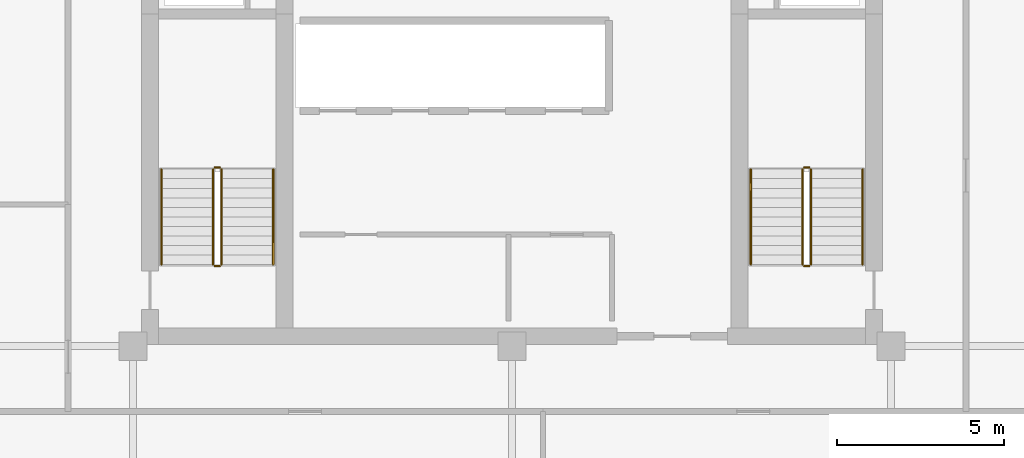
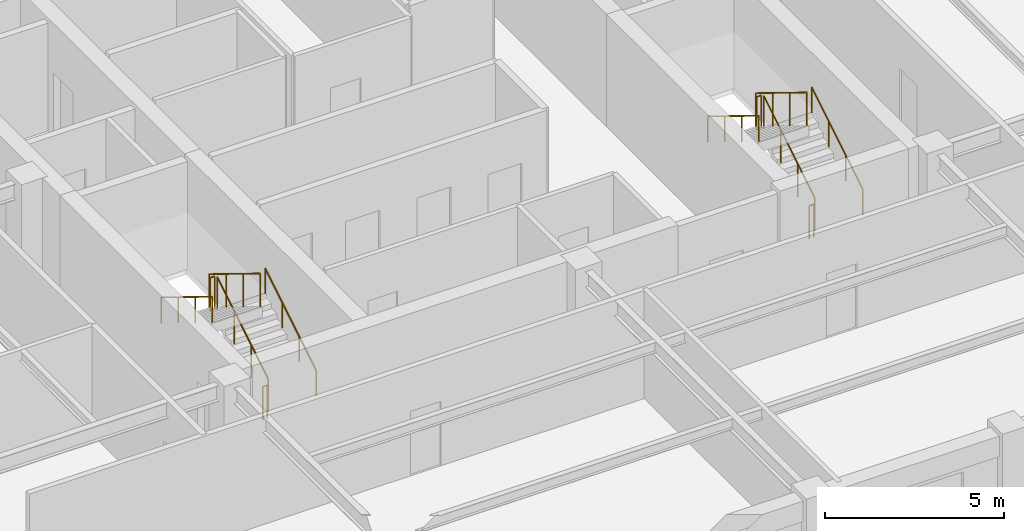
# One storey, part 6 of 6: 12 railings.
"""IFC4 building model written with IfcOpenShell, lengths in metres."""

from ifc_helpers import new_model, si_unit, direction, frame, origin, origin_2d, place, context, subcontext, project, spatial, circle, extrude, material, type_object, element, save


model = new_model("IFC4")

# Units and contexts
model_context = context("Model", 3, precision=1e-05, world=origin(), true_north=direction((0.0, 1.0)))
body_context = subcontext(model_context, "Body", "Model", "MODEL_VIEW")
ifc_project = project(units=[si_unit("LENGTHUNIT", "METRE"), si_unit("AREAUNIT", "SQUARE_METRE"), si_unit("VOLUMEUNIT", "CUBIC_METRE"), si_unit("PLANEANGLEUNIT", "RADIAN"), si_unit("MASSUNIT", "GRAM", prefix="KILO")], contexts=[model_context])

# Site, building, storey
site_placement = place(None, origin())
site = spatial("IfcSite", under=ifc_project, at=site_placement, CompositionType="ELEMENT")
building_placement = place(site_placement, origin())
building = spatial("IfcBuilding", under=site, at=building_placement, Name="Nhamokura Convention Tower", CompositionType="ELEMENT")
storey_placement = place(building_placement, frame((0.0, 0.0, 217.699951171875)))
storey = spatial("IfcBuildingStorey", under=building, at=storey_placement, Name="L53", CompositionType="ELEMENT", Elevation=217.699951171875)

# Railings
ifc_material_1 = material(Name="Anodised bronze stainless steel", Category="steel")
railing_type_1 = type_object("IfcRailingType", Name="StairWallHandrail_900", PredefinedType="HANDRAIL", material=ifc_material_1)
railing_1_placement = place(storey_placement, frame((24.85009765625, 23.10009765625, 0.175048828125)))
element("IfcRailing", 1, at=railing_1_placement, inside=storey, type_object=railing_type_1, Name="L53 ST-01 stair handrail 1", PredefinedType="HANDRAIL", context=body_context, shape_type="SweptSolid", body=[
    extrude(circle(Radius=0.02392578125, at=origin_2d()), frame((0.0, 0.0, 0.8759765625), z_axis=(0.0, 0.852159232446, 0.523282564737), x_axis=(-1.0, 0.0, 0.0)), (0.0, 0.0, 1.0), 3.34423828125),
    extrude(circle(Radius=0.02099609375, at=origin_2d()), origin(), (0.0, 0.0, 1.0), 0.851806640625),
    extrude(circle(Radius=0.02099609375, at=origin_2d()), frame((0.0, 0.949951171875, 0.583251953125)), (0.0, 0.0, 1.0), 0.851806640625),
    extrude(circle(Radius=0.02099609375, at=origin_2d()), frame((0.0, 1.89990234375, 1.166748046875)), (0.0, 0.0, 1.0), 0.851806640625),
    extrude(circle(Radius=0.02099609375, at=origin_2d()), frame((0.0, 2.849853515625, 1.75)), (0.0, 0.0, 1.0), 0.851806640625),
])
railing_2_placement = place(storey_placement, frame((21.5, 25.949951171875, 2.10009765625)))
element("IfcRailing", 2, at=railing_2_placement, inside=storey, type_object=railing_type_1, Name="L53 ST-01 stair handrail 2", PredefinedType="HANDRAIL", context=body_context, shape_type="SweptSolid", body=[
    extrude(circle(Radius=0.02392578125, at=origin_2d()), frame((0.0, 0.0, 0.8759765625), z_axis=(0.0, -0.852159232446, 0.523282564737), x_axis=(1.0, 0.0, 0.0)), (0.0, 0.0, 1.0), 3.34423828125),
    extrude(circle(Radius=0.02099609375, at=origin_2d()), origin(), (0.0, 0.0, 1.0), 0.851806640625),
    extrude(circle(Radius=0.02099609375, at=origin_2d()), frame((0.0, -0.949951171875, 0.583251953125)), (0.0, 0.0, 1.0), 0.851806640625),
    extrude(circle(Radius=0.02099609375, at=origin_2d()), frame((0.0, -1.89990234375, 1.166748046875)), (0.0, 0.0, 1.0), 0.851806640625),
    extrude(circle(Radius=0.02099609375, at=origin_2d()), frame((0.0, -2.849853515625, 1.75)), (0.0, 0.0, 1.0), 0.851806640625),
])
railing_3_placement = place(storey_placement, frame((42.5, 23.10009765625, 0.175048828125)))
element("IfcRailing", 3, at=railing_3_placement, inside=storey, type_object=railing_type_1, Name="L53 ST-02 stair handrail 1", PredefinedType="HANDRAIL", context=body_context, shape_type="SweptSolid", body=[
    extrude(circle(Radius=0.02392578125, at=origin_2d()), frame((0.0, 0.0, 0.8759765625), z_axis=(0.0, 0.852159232446, 0.523282564737), x_axis=(-1.0, 0.0, 0.0)), (0.0, 0.0, 1.0), 3.34423828125),
    extrude(circle(Radius=0.02099609375, at=origin_2d()), origin(), (0.0, 0.0, 1.0), 0.851806640625),
    extrude(circle(Radius=0.02099609375, at=origin_2d()), frame((0.0, 0.949951171875, 0.583251953125)), (0.0, 0.0, 1.0), 0.851806640625),
    extrude(circle(Radius=0.02099609375, at=origin_2d()), frame((0.0, 1.89990234375, 1.166748046875)), (0.0, 0.0, 1.0), 0.851806640625),
    extrude(circle(Radius=0.02099609375, at=origin_2d()), frame((0.0, 2.849853515625, 1.75)), (0.0, 0.0, 1.0), 0.851806640625),
])
railing_4_placement = place(storey_placement, frame((39.14990234375, 25.949951171875, 2.10009765625)))
element("IfcRailing", 4, at=railing_4_placement, inside=storey, type_object=railing_type_1, Name="L53 ST-02 stair handrail 2", PredefinedType="HANDRAIL", context=body_context, shape_type="SweptSolid", body=[
    extrude(circle(Radius=0.02392578125, at=origin_2d()), frame((0.0, 0.0, 0.8759765625), z_axis=(0.0, -0.852159232446, 0.523282564737), x_axis=(1.0, 0.0, 0.0)), (0.0, 0.0, 1.0), 3.34423828125),
    extrude(circle(Radius=0.02099609375, at=origin_2d()), origin(), (0.0, 0.0, 1.0), 0.851806640625),
    extrude(circle(Radius=0.02099609375, at=origin_2d()), frame((0.0, -0.949951171875, 0.583251953125)), (0.0, 0.0, 1.0), 0.851806640625),
    extrude(circle(Radius=0.02099609375, at=origin_2d()), frame((0.0, -1.89990234375, 1.166748046875)), (0.0, 0.0, 1.0), 0.851806640625),
    extrude(circle(Radius=0.02099609375, at=origin_2d()), frame((0.0, -2.849853515625, 1.75)), (0.0, 0.0, 1.0), 0.851806640625),
])
ifc_material_2 = material(Name="Painted tubular steel", Category="steel")
railing_type_2 = type_object("IfcRailingType", Name="StairWellGuardrail_1150", PredefinedType="GUARDRAIL", material=ifc_material_2)
railing_5_placement = place(storey_placement, frame((23.300048828125, 23.10009765625, 0.175048828125)))
element("IfcRailing", 5, at=railing_5_placement, inside=storey, type_object=railing_type_2, Name="L53 ST-01 stair guard 1", PredefinedType="GUARDRAIL", context=body_context, shape_type="SweptSolid", body=[
    extrude(circle(Radius=0.02392578125, at=origin_2d()), frame((0.0, 0.0, 1.1259765625), z_axis=(0.0, 0.852159232446, 0.523282564737), x_axis=(-1.0, 0.0, 0.0)), (0.0, 0.0, 1.0), 3.34423828125),
    extrude(circle(Radius=0.02099609375, at=origin_2d()), origin(), (0.0, 0.0, 1.0), 1.101806640625),
    extrude(circle(Radius=0.02099609375, at=origin_2d()), frame((0.0, 0.949951171875, 0.583251953125)), (0.0, 0.0, 1.0), 1.101806640625),
    extrude(circle(Radius=0.02099609375, at=origin_2d()), frame((0.0, 1.89990234375, 1.166748046875)), (0.0, 0.0, 1.0), 1.101806640625),
    extrude(circle(Radius=0.02099609375, at=origin_2d()), frame((0.0, 2.849853515625, 1.75)), (0.0, 0.0, 1.0), 1.101806640625),
])
railing_6_placement = place(storey_placement, frame((23.25, 26.0, 1.925048828125)))
element("IfcRailing", 6, at=railing_6_placement, inside=storey, type_object=railing_type_2, Name="L53 ST-01 stair guard 2", PredefinedType="GUARDRAIL", context=body_context, shape_type="SweptSolid", body=[
    extrude(circle(Radius=0.02392578125, at=origin_2d()), frame((0.0, 0.0, 1.1259765625), z_axis=(-1.0, 0.0, 0.0), x_axis=(0.0, -1.0, 0.0)), (0.0, 0.0, 1.0), 0.14990234375),
    extrude(circle(Radius=0.02099609375, at=origin_2d()), origin(), (0.0, 0.0, 1.0), 1.101806640625),
    extrude(circle(Radius=0.02099609375, at=origin_2d()), frame((-0.14990234375, 0.0, 0.0)), (0.0, 0.0, 1.0), 1.101806640625),
])
railing_7_placement = place(storey_placement, frame((23.050048828125, 25.949951171875, 2.10009765625)))
element("IfcRailing", 7, at=railing_7_placement, inside=storey, type_object=railing_type_2, Name="L53 ST-01 stair guard 3", PredefinedType="GUARDRAIL", context=body_context, shape_type="SweptSolid", body=[
    extrude(circle(Radius=0.02392578125, at=origin_2d()), frame((0.0, 0.0, 1.1259765625), z_axis=(0.0, -0.852159232446, 0.523282564737), x_axis=(1.0, 0.0, 0.0)), (0.0, 0.0, 1.0), 3.34423828125),
    extrude(circle(Radius=0.02099609375, at=origin_2d()), origin(), (0.0, 0.0, 1.0), 1.101806640625),
    extrude(circle(Radius=0.02099609375, at=origin_2d()), frame((0.0, -0.949951171875, 0.583251953125)), (0.0, 0.0, 1.0), 1.101806640625),
    extrude(circle(Radius=0.02099609375, at=origin_2d()), frame((0.0, -1.89990234375, 1.166748046875)), (0.0, 0.0, 1.0), 1.101806640625),
    extrude(circle(Radius=0.02099609375, at=origin_2d()), frame((0.0, -2.849853515625, 1.75)), (0.0, 0.0, 1.0), 1.101806640625),
])
railing_8_placement = place(storey_placement, frame((23.25, 23.050048828125, 0.0)))
element("IfcRailing", 8, at=railing_8_placement, inside=storey, type_object=railing_type_2, Name="L53 ST-01 stair guard 4", PredefinedType="GUARDRAIL", context=body_context, shape_type="SweptSolid", body=[
    extrude(circle(Radius=0.02392578125, at=origin_2d()), frame((0.0, 0.0, 1.1259765625), z_axis=(-1.0, 0.0, 0.0), x_axis=(0.0, -1.0, 0.0)), (0.0, 0.0, 1.0), 0.14990234375),
    extrude(circle(Radius=0.02099609375, at=origin_2d()), origin(), (0.0, 0.0, 1.0), 1.101806640625),
    extrude(circle(Radius=0.02099609375, at=origin_2d()), frame((-0.14990234375, 0.0, 0.0)), (0.0, 0.0, 1.0), 1.101806640625),
])
railing_9_placement = place(storey_placement, frame((40.949951171875, 23.10009765625, 0.175048828125)))
element("IfcRailing", 9, at=railing_9_placement, inside=storey, type_object=railing_type_2, Name="L53 ST-02 stair guard 1", PredefinedType="GUARDRAIL", context=body_context, shape_type="SweptSolid", body=[
    extrude(circle(Radius=0.02392578125, at=origin_2d()), frame((0.0, 0.0, 1.1259765625), z_axis=(0.0, 0.852159232446, 0.523282564737), x_axis=(-1.0, 0.0, 0.0)), (0.0, 0.0, 1.0), 3.34423828125),
    extrude(circle(Radius=0.02099609375, at=origin_2d()), origin(), (0.0, 0.0, 1.0), 1.101806640625),
    extrude(circle(Radius=0.02099609375, at=origin_2d()), frame((0.0, 0.949951171875, 0.583251953125)), (0.0, 0.0, 1.0), 1.101806640625),
    extrude(circle(Radius=0.02099609375, at=origin_2d()), frame((0.0, 1.89990234375, 1.166748046875)), (0.0, 0.0, 1.0), 1.101806640625),
    extrude(circle(Radius=0.02099609375, at=origin_2d()), frame((0.0, 2.849853515625, 1.75)), (0.0, 0.0, 1.0), 1.101806640625),
])
railing_10_placement = place(storey_placement, frame((40.89990234375, 26.0, 1.925048828125)))
element("IfcRailing", 10, at=railing_10_placement, inside=storey, type_object=railing_type_2, Name="L53 ST-02 stair guard 2", PredefinedType="GUARDRAIL", context=body_context, shape_type="SweptSolid", body=[
    extrude(circle(Radius=0.02392578125, at=origin_2d()), frame((0.0, 0.0, 1.1259765625), z_axis=(-1.0, 0.0, 0.0), x_axis=(0.0, -1.0, 0.0)), (0.0, 0.0, 1.0), 0.14990234375),
    extrude(circle(Radius=0.02099609375, at=origin_2d()), origin(), (0.0, 0.0, 1.0), 1.101806640625),
    extrude(circle(Radius=0.02099609375, at=origin_2d()), frame((-0.14990234375, 0.0, 0.0)), (0.0, 0.0, 1.0), 1.101806640625),
])
railing_11_placement = place(storey_placement, frame((40.699951171875, 25.949951171875, 2.10009765625)))
element("IfcRailing", 11, at=railing_11_placement, inside=storey, type_object=railing_type_2, Name="L53 ST-02 stair guard 3", PredefinedType="GUARDRAIL", context=body_context, shape_type="SweptSolid", body=[
    extrude(circle(Radius=0.02392578125, at=origin_2d()), frame((0.0, 0.0, 1.1259765625), z_axis=(0.0, -0.852159232446, 0.523282564737), x_axis=(1.0, 0.0, 0.0)), (0.0, 0.0, 1.0), 3.34423828125),
    extrude(circle(Radius=0.02099609375, at=origin_2d()), origin(), (0.0, 0.0, 1.0), 1.101806640625),
    extrude(circle(Radius=0.02099609375, at=origin_2d()), frame((0.0, -0.949951171875, 0.583251953125)), (0.0, 0.0, 1.0), 1.101806640625),
    extrude(circle(Radius=0.02099609375, at=origin_2d()), frame((0.0, -1.89990234375, 1.166748046875)), (0.0, 0.0, 1.0), 1.101806640625),
    extrude(circle(Radius=0.02099609375, at=origin_2d()), frame((0.0, -2.849853515625, 1.75)), (0.0, 0.0, 1.0), 1.101806640625),
])
railing_12_placement = place(storey_placement, frame((40.89990234375, 23.050048828125, 0.0)))
element("IfcRailing", 12, at=railing_12_placement, inside=storey, type_object=railing_type_2, Name="L53 ST-02 stair guard 4", PredefinedType="GUARDRAIL", context=body_context, shape_type="SweptSolid", body=[
    extrude(circle(Radius=0.02392578125, at=origin_2d()), frame((0.0, 0.0, 1.1259765625), z_axis=(-1.0, 0.0, 0.0), x_axis=(0.0, -1.0, 0.0)), (0.0, 0.0, 1.0), 0.14990234375),
    extrude(circle(Radius=0.02099609375, at=origin_2d()), origin(), (0.0, 0.0, 1.0), 1.101806640625),
    extrude(circle(Radius=0.02099609375, at=origin_2d()), frame((-0.14990234375, 0.0, 0.0)), (0.0, 0.0, 1.0), 1.101806640625),
])

save(model, "model.ifc")
